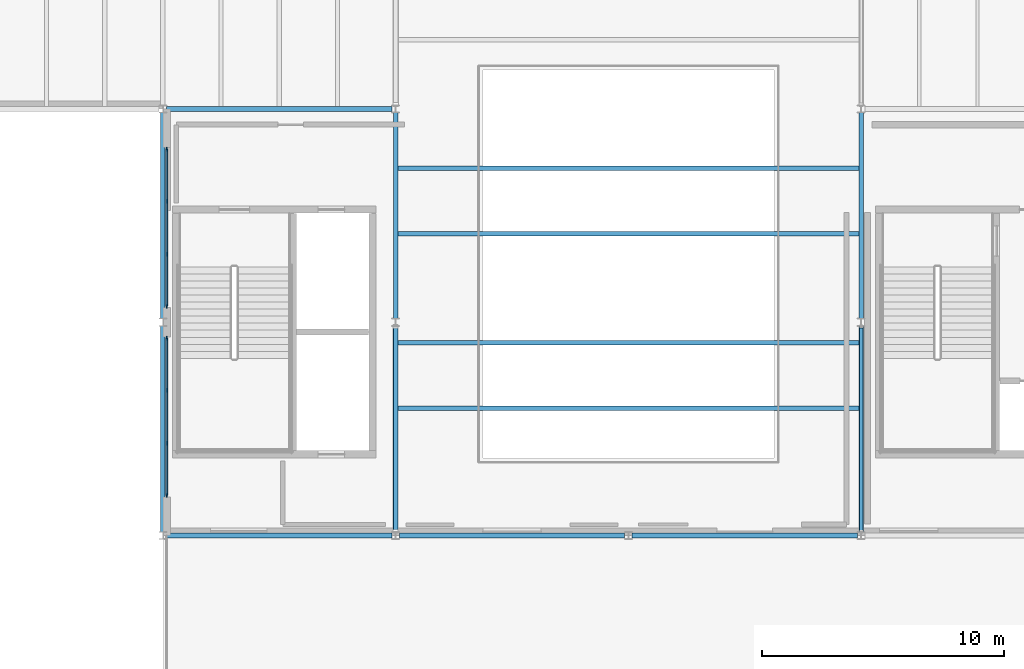
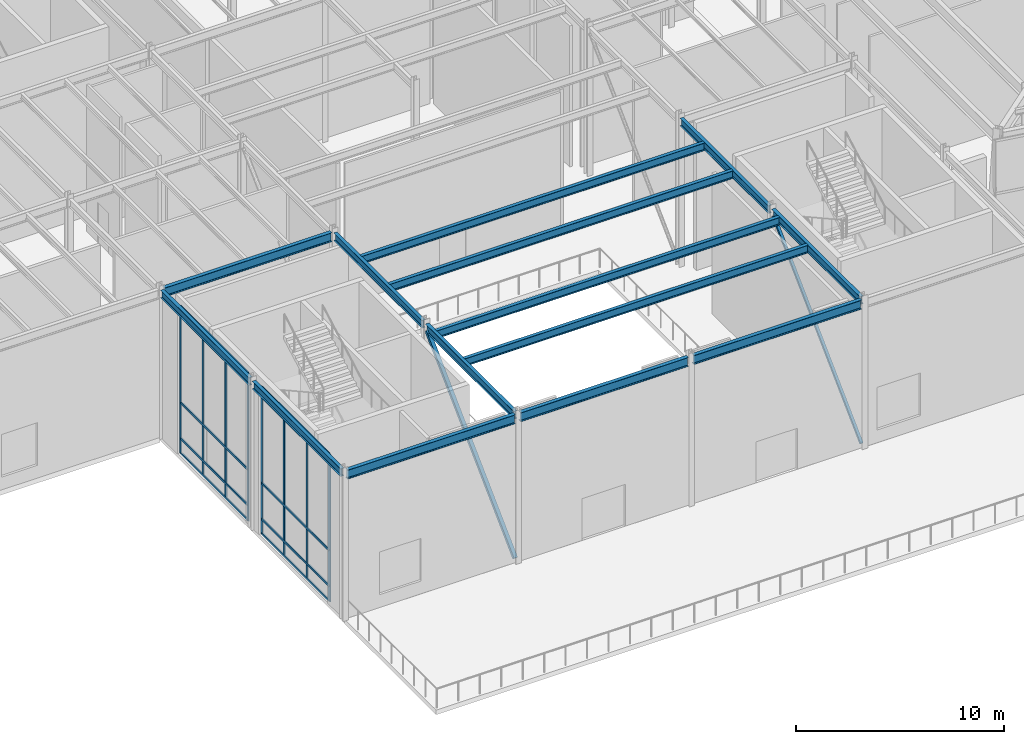
# One storey, part 14 of 48: 18 members, 14 beams, 2 elements without a shape of their own.
"""IFC4 building model written with IfcOpenShell, lengths in metres."""

import ifcopenshell
import ifcopenshell.guid

model = None  # the IFC model being written
_history = None  # IfcOwnerHistory: only IFC2X3 demands one
_inside = {}  # id of a spatial element -> (the spatial element, [elements in it])
_under = {}  # id of a project, library or spatial element -> (it, [spatial elements below it])
_declared = {}  # id of a project -> (the project, [libraries it declares])
_typed = {}  # id of a type object -> (the type object, [elements of that type])
_made_of = {}  # id of a material, layer set ... -> (it, [elements and type objects made of it])


def new_model(schema):
    """Start an empty IFC model of exactly this schema.

    Asked for "IFC4X3", IfcOpenShell would pick the latest addendum, in which some entities
    have other attributes; the version numbers below select the first issue.
    IFC2X3 requires an IfcOwnerHistory on every rooted entity: one is made here for all.
    """
    global model, _history
    if schema == "IFC4X3":
        model = ifcopenshell.file(schema_version=(4, 3, 0, 0))
    else:
        model = ifcopenshell.file(schema=schema)
    _inside.clear()
    _under.clear()
    _declared.clear()
    _typed.clear()
    _made_of.clear()
    _history = None
    if model.schema == "IFC2X3":
        org = make("IfcOrganization", Name="unknown")
        user = make(
            "IfcPersonAndOrganization",
            ThePerson=make("IfcPerson", FamilyName="unknown"),
            TheOrganization=org,
        )
        app = make(
            "IfcApplication",
            ApplicationDeveloper=org,
            Version="unknown",
            ApplicationFullName="unknown",
            ApplicationIdentifier="unknown",
        )
        _history = make(
            "IfcOwnerHistory",
            OwningUser=user,
            OwningApplication=app,
            ChangeAction="ADDED",
            CreationDate=0,
        )
    return model


def make(cls, **values):
    """One entity of the class cls with the attributes given. An attribute that is None is left unset."""
    return model.create_entity(
        cls, **{name: value for name, value in values.items() if value is not None}
    )


def rooted(cls, **values):
    """An entity with a GlobalId (a new one), such as an element, a storey or a relation."""
    return make(cls, GlobalId=ifcopenshell.guid.new(), OwnerHistory=_history, **values)


def si_unit(unit_type, name, prefix=None):
    """IfcSIUnit, for example si_unit("LENGTHUNIT", "METRE", prefix="MILLI")."""
    return make("IfcSIUnit", UnitType=unit_type, Prefix=prefix, Name=name)


def assignment(units):
    """IfcUnitAssignment: the units of a project."""
    return None if units is None else make("IfcUnitAssignment", Units=units)


def point(xyz):
    """IfcCartesianPoint."""
    return None if xyz is None else make("IfcCartesianPoint", Coordinates=xyz)


def direction(xyz):
    """IfcDirection."""
    return None if xyz is None else make("IfcDirection", DirectionRatios=xyz)


def frame(location, z_axis=None, x_axis=None):
    """IfcAxis2Placement3D, a coordinate frame: its origin and axes. An axis left out is left unset."""
    return make(
        "IfcAxis2Placement3D",
        Location=point(location),
        Axis=direction(z_axis),
        RefDirection=direction(x_axis),
    )


def frame_2d(location, x_axis=None):
    """IfcAxis2Placement2D, a coordinate frame in the plane: its origin and x axis."""
    return make(
        "IfcAxis2Placement2D", Location=point(location), RefDirection=direction(x_axis)
    )


def origin():
    """The frame at (0, 0, 0) with its axes left unset."""
    return frame((0.0, 0.0, 0.0))


def origin_2d():
    """The frame at (0, 0) in the plane with its x axis left unset."""
    return frame_2d((0.0, 0.0))


def place(relative_to, where):
    """IfcLocalPlacement: puts the frame where relative to a parent placement (None: the world)."""
    return make(
        "IfcLocalPlacement", PlacementRelTo=relative_to, RelativePlacement=where
    )


def context(
    kind, dimensions, precision=None, world=None, true_north=None, identifier=None
):
    """IfcGeometricRepresentationContext, for example the 3D "Model" context."""
    return make(
        "IfcGeometricRepresentationContext",
        ContextIdentifier=identifier,
        ContextType=kind,
        CoordinateSpaceDimension=dimensions,
        Precision=precision,
        WorldCoordinateSystem=world,
        TrueNorth=true_north,
    )


def subcontext(parent, identifier, kind, view, scale=None):
    """IfcGeometricRepresentationSubContext, for example "Body" below "Model"."""
    return make(
        "IfcGeometricRepresentationSubContext",
        ContextIdentifier=identifier,
        ContextType=kind,
        ParentContext=parent,
        TargetScale=scale,
        TargetView=view,
    )


def project(units=None, contexts=None):
    """IfcProject with its units and contexts."""
    return rooted(
        "IfcProject",
        Name="project",
        RepresentationContexts=contexts,
        UnitsInContext=assignment(units),
    )


def spatial(cls, under=None, at=None, **own):
    """A site, building, storey or space (cls), placed at a placement, below another one or the project."""
    s = rooted(cls, ObjectPlacement=at, **own)
    if under is not None:
        _under.setdefault(under.id(), (under, []))[1].append(s)
    return s


def profile(cls, at=None, kind="AREA", **sizes):
    """A parametric profile (cls). Its sizes go by their IFC names, for example OverallWidth=200.0."""
    return make(cls, ProfileType=kind, Position=at, **sizes)


def rectangle(**sizes):
    """IfcRectangleProfileDef."""
    return profile("IfcRectangleProfileDef", **sizes)


def hollow_rectangle(**sizes):
    """IfcRectangleHollowProfileDef."""
    return profile("IfcRectangleHollowProfileDef", **sizes)


def i_section(**sizes):
    """IfcIShapeProfileDef."""
    return profile("IfcIShapeProfileDef", **sizes)


def extrude(swept, where, along, depth):
    """IfcExtrudedAreaSolid: the profile swept, set in the frame where, extruded along a direction by depth."""
    return make(
        "IfcExtrudedAreaSolid",
        SweptArea=swept,
        Position=where,
        ExtrudedDirection=direction(along),
        Depth=depth,
    )


def shape(context_of_items, identifier, shape_type, items):
    """IfcShapeRepresentation: the items that make up one representation, for example the "Body"."""
    return make(
        "IfcShapeRepresentation",
        ContextOfItems=context_of_items,
        RepresentationIdentifier=identifier,
        RepresentationType=shape_type,
        Items=items,
    )


def material(Name=None, Category=None):
    """IfcMaterial."""
    return make("IfcMaterial", Name=Name, Category=Category)


def material_profile(
    of_material, cross_section, Name=None, Category=None, Priority=None
):
    """IfcMaterialProfile: a cross section and its material."""
    return make(
        "IfcMaterialProfile",
        Name=Name,
        Material=of_material,
        Profile=cross_section,
        Priority=Priority,
        Category=Category,
    )


def profile_set(profiles, Name=None, composite=None):
    """IfcMaterialProfileSet."""
    return make(
        "IfcMaterialProfileSet",
        Name=Name,
        MaterialProfiles=profiles,
        CompositeProfile=composite,
    )


def made_of(thing, what):
    """Note that an element or type object is made of a material, layer set ...; save() writes the relation."""
    if what is not None:
        _made_of.setdefault(what.id(), (what, []))[1].append(thing)
    return thing


def type_object(cls, material=None, **own):
    """A type object (cls), such as IfcWallType, which elements share."""
    return made_of(rooted(cls, **own), material)


def element(
    cls,
    number,
    at=None,
    inside=None,
    cuts=None,
    type_object=None,
    material=None,
    context=None,
    identifier="Body",
    shape_type=None,
    held_by="IfcProductDefinitionShape",
    body=None,
    shapes=None,
    **own,
):
    """One element of the class cls, such as IfcWall. Its Tag is "e" and its number.

    at: its placement. inside: the storey or other place that contains it. cuts: it is an
    opening in that element (IfcRelVoidsElement). A single representation is given by context,
    identifier, shape_type and body (its items); several are given by shapes. held_by: the class
    of the entity that holds the representations. save() writes the other relations.
    """
    e = rooted(cls, Tag="e%d" % number, ObjectPlacement=at, **own)
    if body is not None:
        shapes = [shape(context, identifier, shape_type, body)]
    if shapes is not None:
        e.Representation = make(held_by, Representations=shapes)
    if inside is not None:
        _inside.setdefault(inside.id(), (inside, []))[1].append(e)
    if cuts is not None:
        rooted(
            "IfcRelVoidsElement", RelatingBuildingElement=cuts, RelatedOpeningElement=e
        )
    if type_object is not None:
        _typed.setdefault(type_object.id(), (type_object, []))[1].append(e)
    return made_of(e, material)


def aggregate(whole, parts):
    """IfcRelAggregates: a whole, such as a stair, and the parts it consists of."""
    return rooted("IfcRelAggregates", RelatingObject=whole, RelatedObjects=parts)


def save(model, path):
    """Write the relations noted so far, then the file.

    IfcRelAggregates (storeys below a building ...), IfcRelContainedInSpatialStructure (elements
    in a storey), IfcRelDefinesByType, IfcRelAssociatesMaterial and IfcRelDeclares: one each for
    every whole, place, type object, material and project.
    """
    for whole, parts in _under.values():
        aggregate(whole, parts)
    for where, things in _inside.values():
        rooted(
            "IfcRelContainedInSpatialStructure",
            RelatedElements=things,
            RelatingStructure=where,
        )
    for kind, things in _typed.values():
        rooted("IfcRelDefinesByType", RelatedObjects=things, RelatingType=kind)
    for what, things in _made_of.values():
        rooted("IfcRelAssociatesMaterial", RelatedObjects=things, RelatingMaterial=what)
    for by, libraries in _declared.values():
        rooted("IfcRelDeclares", RelatingContext=by, RelatedDefinitions=libraries)
    model.write(path)


model = new_model("IFC4")

# Units and contexts
model_context = context("Model", 3, precision=1e-05, world=origin(), true_north=direction((0.0, 1.0)))
body_context = subcontext(model_context, "Body", "Model", "MODEL_VIEW")
ifc_project = project(units=[si_unit("LENGTHUNIT", "METRE"), si_unit("AREAUNIT", "SQUARE_METRE"), si_unit("VOLUMEUNIT", "CUBIC_METRE"), si_unit("PLANEANGLEUNIT", "RADIAN"), si_unit("MASSUNIT", "GRAM", prefix="KILO")], contexts=[model_context])

# Site, building, storey
site_placement = place(None, origin())
site = spatial("IfcSite", under=ifc_project, at=site_placement, CompositionType="ELEMENT")
building_placement = place(site_placement, origin())
building = spatial("IfcBuilding", under=site, at=building_placement, Name="Sarnbrook Museum", CompositionType="ELEMENT")
storey_placement = place(building_placement, frame((0.0, 0.0, 19.10009765625)))
storey = spatial("IfcBuildingStorey", under=building, at=storey_placement, Name="L04", CompositionType="ELEMENT", Elevation=19.10009765625)

# Beams
ifc_material_1 = material(Name="Structural Steel Grade 300PLUS (AS/NZS 3679.1, fy = 280 MPa for 17 < t <= 40 mm, 300 MPa for t <= 17 mm)", Category="steel")
ifc_material_profile_1 = material_profile(ifc_material_1, i_section(OverallWidth=0.18994140625, OverallDepth=0.45703125, WebThickness=0.009033203125, FlangeThickness=0.014404296875, FilletRadius=0.011474609375, at=origin_2d()), Name="460UB74.6")
ifc_profile_set_1 = profile_set([ifc_material_profile_1], Name="Structural Steel Grade 300PLUS (AS/NZS 3679.1, fy = 280 MPa for 17 < t <= 40 mm, 300 MPa for t <= 17 mm)")
beam_type_1 = type_object("IfcBeamType", Name="BM-UB460", PredefinedType="BEAM", material=ifc_profile_set_1)
for number, where, z_axis, x_axis, name in (
    (1, (80.800048828125, 56.95751953125, 8.521484375), (0.0, 1.0, 0.0), (-1.0, 0.0, 0.0), "Girder 9:G-H L04"),
    (2, (80.800048828125, 65.757568359375, 8.521484375), (0.0, 1.0, 0.0), (-1.0, 0.0, 0.0), "Girder 9:H-J L04"),
    (3, (90.39990234375, 56.95751953125, 8.521484375), (0.0, 1.0, 0.0), (-1.0, 0.0, 0.0), "Girder 10:G-H L04"),
    (4, (90.39990234375, 65.757568359375, 8.521484375), (0.0, 1.0, 0.0), (-1.0, 0.0, 0.0), "Girder 10:H-J L04"),
    (5, (109.60009765625, 56.95751953125, 8.521484375), (0.0, 1.0, 0.0), (-1.0, 0.0, 0.0), "Girder 12:G-H L04"),
    (6, (109.60009765625, 65.757568359375, 8.521484375), (0.0, 1.0, 0.0), (-1.0, 0.0, 0.0), "Girder 12:H-J L04"),
):
    element("IfcBeam", number, at=place(storey_placement, frame(where, z_axis=z_axis, x_axis=x_axis)), inside=storey, type_object=beam_type_1, Name=name, PredefinedType="BEAM", context=body_context, shape_type="SweptSolid", body=[
        extrude(i_section(OverallWidth=0.18994140625, OverallDepth=0.45703125, WebThickness=0.009033203125, FlangeThickness=0.014404296875, FilletRadius=0.011474609375, at=origin_2d()), origin(), (0.0, 0.0, 1.0), 8.48486328125),
    ])
for number, where, z_axis, x_axis, name in (
    (7, (90.47998046875, 62.050048828125, 8.52294921875), (1.0, 0.0, 0.0), (0.0, 1.0, 0.0), "Atrium Sawtooth Skylight Curb Girder 1-1 L04"),
    (8, (90.47998046875, 64.75, 8.52294921875), (1.0, 0.0, 0.0), (0.0, 1.0, 0.0), "Atrium Sawtooth Skylight Curb Girder 1-2 L04"),
    (9, (90.47998046875, 69.25, 8.52294921875), (1.0, 0.0, 0.0), (0.0, 1.0, 0.0), "Atrium Sawtooth Skylight Curb Girder 2-1 L04"),
    (10, (90.47998046875, 71.949951171875, 8.52294921875), (1.0, 0.0, 0.0), (0.0, 1.0, 0.0), "Atrium Sawtooth Skylight Curb Girder 2-2 L04"),
):
    element("IfcBeam", number, at=place(storey_placement, frame(where, z_axis=z_axis, x_axis=x_axis)), inside=storey, type_object=beam_type_1, Name=name, PredefinedType="BEAM", context=body_context, shape_type="SweptSolid", body=[
        extrude(i_section(OverallWidth=0.18994140625, OverallDepth=0.45703125, WebThickness=0.009033203125, FlangeThickness=0.014404296875, FilletRadius=0.011474609375, at=origin_2d()), origin(), (0.0, 0.0, 1.0), 19.0400390625),
    ])
ifc_material_profile_2 = material_profile(ifc_material_1, i_section(OverallWidth=0.208984375, OverallDepth=0.532958984375, WebThickness=0.01025390625, FlangeThickness=0.015625, FilletRadius=0.013916015625, at=origin_2d()), Name="530UB92.4")
ifc_profile_set_2 = profile_set([ifc_material_profile_2], Name="Structural Steel Grade 300PLUS (AS/NZS 3679.1, fy = 280 MPa for 17 < t <= 40 mm, 300 MPa for t <= 17 mm)")
beam_type_2 = type_object("IfcBeamType", Name="BM-UB530", PredefinedType="BEAM", material=ifc_profile_set_2)
for number, where, z_axis, x_axis, name in (
    (11, (80.95361328125, 56.800048828125, 8.4833984375), (1.0, 0.0, 0.0), (0.0, 1.0, 0.0), "Girder G:9-10 L04"),
    (12, (90.553466796875, 56.800048828125, 8.4833984375), (1.0, 0.0, 0.0), (0.0, 1.0, 0.0), "Girder G:10-11 L04"),
    (13, (100.153564453125, 56.800048828125, 8.4833984375), (1.0, 0.0, 0.0), (0.0, 1.0, 0.0), "Girder G:11-12 L04"),
    (14, (80.95361328125, 74.39990234375, 8.4833984375), (1.0, 0.0, 0.0), (0.0, 1.0, 0.0), "Girder J:9-10 L04"),
):
    element("IfcBeam", number, at=place(storey_placement, frame(where, z_axis=z_axis, x_axis=x_axis)), inside=storey, type_object=beam_type_2, Name=name, PredefinedType="BEAM", context=body_context, shape_type="SweptSolid", body=[
        extrude(i_section(OverallWidth=0.208984375, OverallDepth=0.532958984375, WebThickness=0.01025390625, FlangeThickness=0.015625, FilletRadius=0.013916015625, at=origin_2d()), origin(), (0.0, 0.0, 1.0), 9.29296875),
    ])

# Member
ifc_material_2 = material(Name="Structural Steel Hollow Section Grade C350L0 (AS/NZS 1163, fy = 350 MPa)", Category="steel")
ifc_material_profile_3 = material_profile(ifc_material_2, hollow_rectangle(XDim=0.199951171875, YDim=0.199951171875, WallThickness=0.010009765625, at=origin_2d()), Name="200x200x10.0SHS")
ifc_profile_set_3 = profile_set([ifc_material_profile_3], Name="Structural Steel Hollow Section Grade C350L0 (AS/NZS 1163, fy = 350 MPa)")
member_type_1 = type_object("IfcMemberType", Name="CH-SHS200", PredefinedType="CHORD", material=ifc_profile_set_3)
member_1_placement = place(storey_placement, frame((90.39990234375, 56.97998046875, 0.119873046875), z_axis=(0.0, 0.715956142846, 0.698145258181), x_axis=(-1.0, 0.0, 0.0)))
element("IfcMember", 15, at=member_1_placement, inside=storey, type_object=member_type_1, Name="Lateral Diagonal Brace CBF-1 L04", PredefinedType="CHORD", context=body_context, shape_type="SweptSolid", body=[
    extrude(hollow_rectangle(XDim=0.199951171875, YDim=0.199951171875, WallThickness=0.010009765625, at=origin_2d()), origin(), (0.0, 0.0, 1.0), 11.788330078125),
])

# Curtain wall, members
ifc_material_3 = material(Name="Thermally Broken Anodised Aluminium 6063-T6", Category="aluminium")
curtain_wall_type = type_object("IfcCurtainWallType", Name="CurtainWall_GalleryRibbon", PredefinedType="NOTDEFINED", material=ifc_material_3)
curtain_wall_1_placement = place(storey_placement, origin())
curtain_wall_1 = element("IfcCurtainWall", 16, at=curtain_wall_1_placement, inside=storey, type_object=curtain_wall_type, Name="Gallery Ribbon Curtain Wall L04-4.1", PredefinedType="NOTDEFINED")
ifc_material_profile_4 = material_profile(ifc_material_3, rectangle(XDim=0.06005859375, YDim=0.159912109375, at=origin_2d()), Name="ALU MULLION 60x160")
ifc_profile_set_4 = profile_set([ifc_material_profile_4], Name="Thermally Broken Anodised Aluminium 6063-T6")
member_type_2 = type_object("IfcMemberType", Name="CW_Mullion_150x65", PredefinedType="MULLION", material=ifc_profile_set_4)
member_2_placement = place(storey_placement, frame((80.9599609375, 72.739990234375, 0.0), z_axis=(0.0, 0.0, 1.0), x_axis=(1.0, 0.0, 0.0)))
member_2 = element("IfcMember", 17, at=member_2_placement, type_object=member_type_2, Name="Gallery Ribbon Curtain Wall L04-4.1 Mullion 1", PredefinedType="MULLION", context=body_context, shape_type="SweptSolid", body=[
    extrude(rectangle(XDim=0.06005859375, YDim=0.159912109375, at=origin_2d()), origin(), (0.0, 0.0, 1.0), 8.659912109375),
])
member_3_placement = place(storey_placement, frame((80.9599609375, 70.59326171875, 0.0), z_axis=(0.0, 0.0, 1.0), x_axis=(1.0, 0.0, 0.0)))
member_3 = element("IfcMember", 18, at=member_3_placement, type_object=member_type_2, Name="Gallery Ribbon Curtain Wall L04-4.1 Mullion 2", PredefinedType="MULLION", context=body_context, shape_type="SweptSolid", body=[
    extrude(rectangle(XDim=0.06005859375, YDim=0.159912109375, at=origin_2d()), origin(), (0.0, 0.0, 1.0), 8.659912109375),
])
member_4_placement = place(storey_placement, frame((80.9599609375, 68.40673828125, 0.0), z_axis=(0.0, 0.0, 1.0), x_axis=(1.0, 0.0, 0.0)))
member_4 = element("IfcMember", 19, at=member_4_placement, type_object=member_type_2, Name="Gallery Ribbon Curtain Wall L04-4.1 Mullion 3", PredefinedType="MULLION", context=body_context, shape_type="SweptSolid", body=[
    extrude(rectangle(XDim=0.06005859375, YDim=0.159912109375, at=origin_2d()), origin(), (0.0, 0.0, 1.0), 8.659912109375),
])
member_5_placement = place(storey_placement, frame((80.9599609375, 66.260009765625, 0.0), z_axis=(0.0, 0.0, 1.0), x_axis=(1.0, 0.0, 0.0)))
member_5 = element("IfcMember", 20, at=member_5_placement, type_object=member_type_2, Name="Gallery Ribbon Curtain Wall L04-4.1 Mullion 4", PredefinedType="MULLION", context=body_context, shape_type="SweptSolid", body=[
    extrude(rectangle(XDim=0.06005859375, YDim=0.159912109375, at=origin_2d()), origin(), (0.0, 0.0, 1.0), 8.659912109375),
])

curtain_wall_2_placement = place(storey_placement, origin())
curtain_wall_2 = element("IfcCurtainWall", 21, at=curtain_wall_2_placement, inside=storey, type_object=curtain_wall_type, Name="Gallery Ribbon Curtain Wall L04-4.2", PredefinedType="NOTDEFINED")
member_6_placement = place(storey_placement, frame((80.9599609375, 64.93994140625, 0.0), z_axis=(0.0, 0.0, 1.0), x_axis=(1.0, 0.0, 0.0)))
member_6 = element("IfcMember", 22, at=member_6_placement, type_object=member_type_2, Name="Gallery Ribbon Curtain Wall L04-4.2 Mullion 1", PredefinedType="MULLION", context=body_context, shape_type="SweptSolid", body=[
    extrude(rectangle(XDim=0.06005859375, YDim=0.159912109375, at=origin_2d()), origin(), (0.0, 0.0, 1.0), 8.659912109375),
])
member_7_placement = place(storey_placement, frame((80.9599609375, 62.793212890625, 0.0), z_axis=(0.0, 0.0, 1.0), x_axis=(1.0, 0.0, 0.0)))
member_7 = element("IfcMember", 23, at=member_7_placement, type_object=member_type_2, Name="Gallery Ribbon Curtain Wall L04-4.2 Mullion 2", PredefinedType="MULLION", context=body_context, shape_type="SweptSolid", body=[
    extrude(rectangle(XDim=0.06005859375, YDim=0.159912109375, at=origin_2d()), origin(), (0.0, 0.0, 1.0), 8.659912109375),
])
member_8_placement = place(storey_placement, frame((80.9599609375, 60.606689453125, 0.0), z_axis=(0.0, 0.0, 1.0), x_axis=(1.0, 0.0, 0.0)))
member_8 = element("IfcMember", 24, at=member_8_placement, type_object=member_type_2, Name="Gallery Ribbon Curtain Wall L04-4.2 Mullion 3", PredefinedType="MULLION", context=body_context, shape_type="SweptSolid", body=[
    extrude(rectangle(XDim=0.06005859375, YDim=0.159912109375, at=origin_2d()), origin(), (0.0, 0.0, 1.0), 8.659912109375),
])
member_9_placement = place(storey_placement, frame((80.9599609375, 58.4599609375, 0.0), z_axis=(0.0, 0.0, 1.0), x_axis=(1.0, 0.0, 0.0)))
member_9 = element("IfcMember", 25, at=member_9_placement, type_object=member_type_2, Name="Gallery Ribbon Curtain Wall L04-4.2 Mullion 4", PredefinedType="MULLION", context=body_context, shape_type="SweptSolid", body=[
    extrude(rectangle(XDim=0.06005859375, YDim=0.159912109375, at=origin_2d()), origin(), (0.0, 0.0, 1.0), 8.659912109375),
])

# Member
ifc_material_profile_5 = material_profile(ifc_material_3, rectangle(XDim=0.06494140625, YDim=0.139892578125, at=origin_2d()), Name="ALU TRANSOM 65x140")
ifc_profile_set_5 = profile_set([ifc_material_profile_5], Name="Thermally Broken Anodised Aluminium 6063-T6")
member_type_3 = type_object("IfcMemberType", Name="CW_Transom_150x65", PredefinedType="USERDEFINED", material=ifc_profile_set_5)
member_10_placement = place(storey_placement, frame((80.9599609375, 72.72998046875, 0.039794921875), z_axis=(0.0, -1.0, 0.0), x_axis=(1.0, 0.0, 0.0)))
member_10 = element("IfcMember", 26, at=member_10_placement, type_object=member_type_3, Name="Gallery Ribbon Curtain Wall L04-4.1 Transom 1", ObjectType="TRANSOM", PredefinedType="USERDEFINED", context=body_context, shape_type="SweptSolid", body=[
    extrude(rectangle(XDim=0.06494140625, YDim=0.139892578125, at=origin_2d()), origin(), (0.0, 0.0, 1.0), 6.4599609375),
])

member_11_placement = place(storey_placement, frame((80.9599609375, 72.72998046875, 0.89990234375), z_axis=(0.0, -1.0, 0.0), x_axis=(1.0, 0.0, 0.0)))
member_11 = element("IfcMember", 27, at=member_11_placement, type_object=member_type_3, Name="Gallery Ribbon Curtain Wall L04-4.1 Transom 2", ObjectType="TRANSOM", PredefinedType="USERDEFINED", context=body_context, shape_type="SweptSolid", body=[
    extrude(rectangle(XDim=0.06494140625, YDim=0.139892578125, at=origin_2d()), origin(), (0.0, 0.0, 1.0), 6.4599609375),
])

member_12_placement = place(storey_placement, frame((80.9599609375, 72.72998046875, 3.0), z_axis=(0.0, -1.0, 0.0), x_axis=(1.0, 0.0, 0.0)))
member_12 = element("IfcMember", 28, at=member_12_placement, type_object=member_type_3, Name="Gallery Ribbon Curtain Wall L04-4.1 Transom 3", ObjectType="TRANSOM", PredefinedType="USERDEFINED", context=body_context, shape_type="SweptSolid", body=[
    extrude(rectangle(XDim=0.06494140625, YDim=0.139892578125, at=origin_2d()), origin(), (0.0, 0.0, 1.0), 6.4599609375),
])

member_13_placement = place(storey_placement, frame((80.9599609375, 72.72998046875, 8.619873046875), z_axis=(0.0, -1.0, 0.0), x_axis=(1.0, 0.0, 0.0)))
member_13 = element("IfcMember", 29, at=member_13_placement, type_object=member_type_3, Name="Gallery Ribbon Curtain Wall L04-4.1 Transom 4", ObjectType="TRANSOM", PredefinedType="USERDEFINED", context=body_context, shape_type="SweptSolid", body=[
    extrude(rectangle(XDim=0.06494140625, YDim=0.139892578125, at=origin_2d()), origin(), (0.0, 0.0, 1.0), 6.4599609375),
])

aggregate(curtain_wall_1, [member_2, member_3, member_4, member_5, member_10, member_11, member_12, member_13])

member_14_placement = place(storey_placement, frame((80.9599609375, 64.929931640625, 0.039794921875), z_axis=(0.0, -1.0, 0.0), x_axis=(1.0, 0.0, 0.0)))
member_14 = element("IfcMember", 30, at=member_14_placement, type_object=member_type_3, Name="Gallery Ribbon Curtain Wall L04-4.2 Transom 1", ObjectType="TRANSOM", PredefinedType="USERDEFINED", context=body_context, shape_type="SweptSolid", body=[
    extrude(rectangle(XDim=0.06494140625, YDim=0.139892578125, at=origin_2d()), origin(), (0.0, 0.0, 1.0), 6.4599609375),
])

member_15_placement = place(storey_placement, frame((80.9599609375, 64.929931640625, 0.89990234375), z_axis=(0.0, -1.0, 0.0), x_axis=(1.0, 0.0, 0.0)))
member_15 = element("IfcMember", 31, at=member_15_placement, type_object=member_type_3, Name="Gallery Ribbon Curtain Wall L04-4.2 Transom 2", ObjectType="TRANSOM", PredefinedType="USERDEFINED", context=body_context, shape_type="SweptSolid", body=[
    extrude(rectangle(XDim=0.06494140625, YDim=0.139892578125, at=origin_2d()), origin(), (0.0, 0.0, 1.0), 6.4599609375),
])

member_16_placement = place(storey_placement, frame((80.9599609375, 64.929931640625, 3.0), z_axis=(0.0, -1.0, 0.0), x_axis=(1.0, 0.0, 0.0)))
member_16 = element("IfcMember", 32, at=member_16_placement, type_object=member_type_3, Name="Gallery Ribbon Curtain Wall L04-4.2 Transom 3", ObjectType="TRANSOM", PredefinedType="USERDEFINED", context=body_context, shape_type="SweptSolid", body=[
    extrude(rectangle(XDim=0.06494140625, YDim=0.139892578125, at=origin_2d()), origin(), (0.0, 0.0, 1.0), 6.4599609375),
])

member_17_placement = place(storey_placement, frame((80.9599609375, 64.929931640625, 8.619873046875), z_axis=(0.0, -1.0, 0.0), x_axis=(1.0, 0.0, 0.0)))
member_17 = element("IfcMember", 33, at=member_17_placement, type_object=member_type_3, Name="Gallery Ribbon Curtain Wall L04-4.2 Transom 4", ObjectType="TRANSOM", PredefinedType="USERDEFINED", context=body_context, shape_type="SweptSolid", body=[
    extrude(rectangle(XDim=0.06494140625, YDim=0.139892578125, at=origin_2d()), origin(), (0.0, 0.0, 1.0), 6.4599609375),
])

aggregate(curtain_wall_2, [member_6, member_7, member_8, member_9, member_14, member_15, member_16, member_17])

ifc_material_profile_6 = material_profile(ifc_material_2, hollow_rectangle(XDim=0.14990234375, YDim=0.14990234375, WallThickness=0.009033203125, at=origin_2d()), Name="150x150x9.0SHS")
ifc_profile_set_6 = profile_set([ifc_material_profile_6], Name="Structural Steel Hollow Section Grade C350L0 (AS/NZS 1163, fy = 350 MPa)")
member_type_4 = type_object("IfcMemberType", Name="MB-SHS150", PredefinedType="BRACE", material=ifc_profile_set_6)
member_18_placement = place(storey_placement, frame((109.60009765625, 56.97998046875, 0.119873046875), z_axis=(0.0, 0.715956142846, 0.698145258181), x_axis=(-1.0, 0.0, 0.0)))
element("IfcMember", 34, at=member_18_placement, inside=storey, type_object=member_type_4, Name="Lateral Diagonal Brace CBF-2 L04", PredefinedType="BRACE", context=body_context, shape_type="SweptSolid", body=[
    extrude(hollow_rectangle(XDim=0.14990234375, YDim=0.14990234375, WallThickness=0.009033203125, at=origin_2d()), origin(), (0.0, 0.0, 1.0), 11.788330078125),
])

save(model, "model.ifc")
